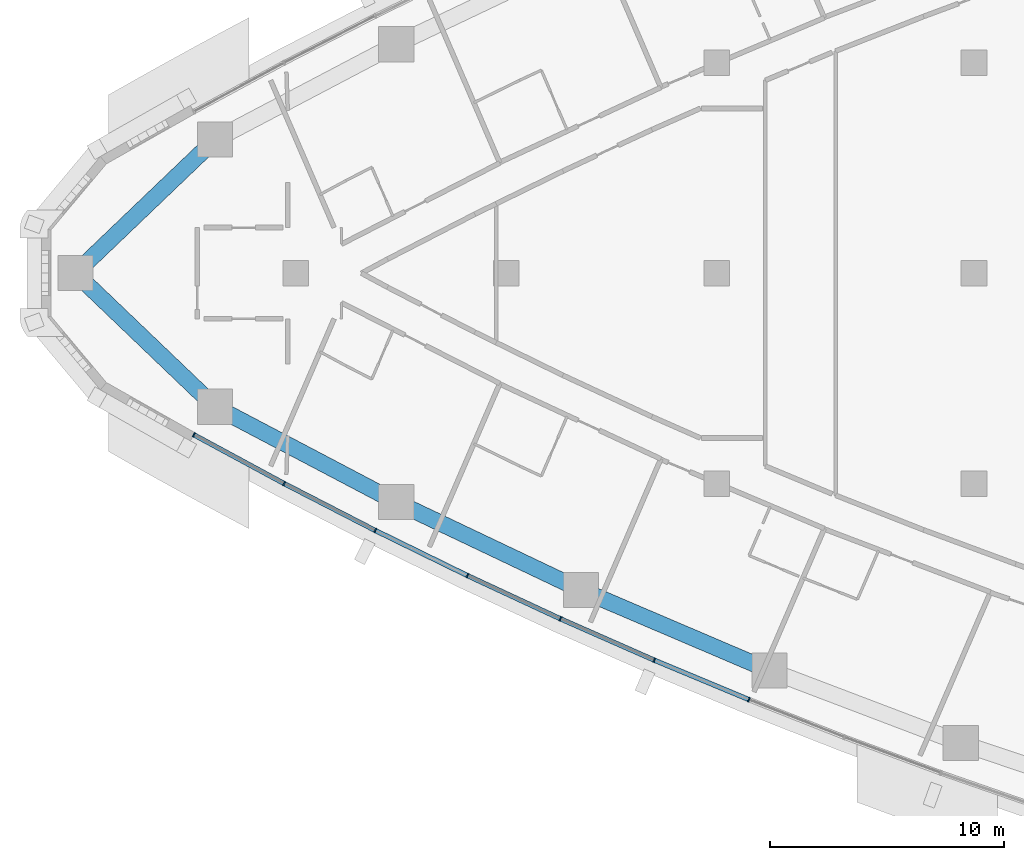
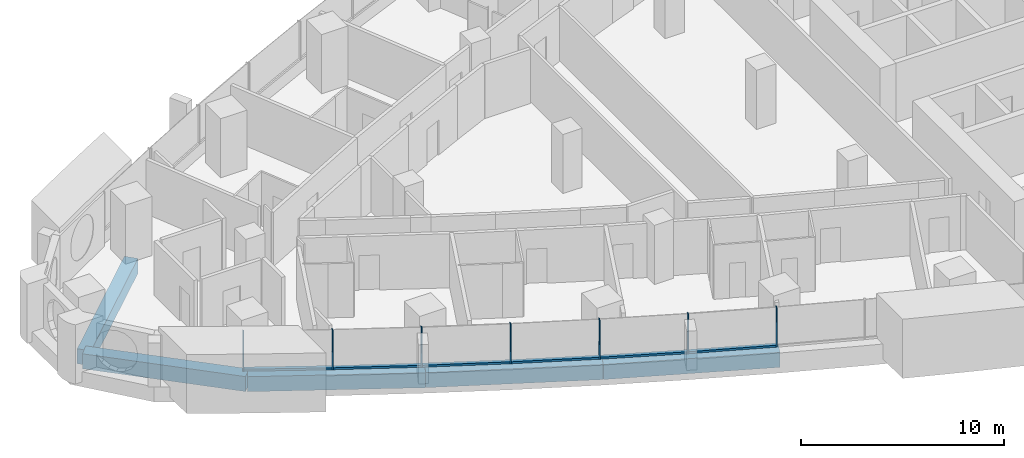
# One storey, part 2 of 17: 13 members, 5 beams, 3 elements without a shape of their own.
"""IFC4 building model written with IfcOpenShell, lengths in metres."""

from ifc_helpers import new_model, si_unit, direction, frame, origin, origin_2d, place, context, subcontext, project, spatial, rectangle, extrude, material, layer, layer_set, material_profile, profile_set, type_object, element, aggregate, save


model = new_model("IFC4")

# Units and contexts
model_context = context("Model", 3, precision=1e-05, world=origin(), true_north=direction((0.0, 1.0)))
body_context = subcontext(model_context, "Body", "Model", "MODEL_VIEW")
ifc_project = project(units=[si_unit("LENGTHUNIT", "METRE"), si_unit("AREAUNIT", "SQUARE_METRE"), si_unit("VOLUMEUNIT", "CUBIC_METRE"), si_unit("PLANEANGLEUNIT", "RADIAN"), si_unit("MASSUNIT", "GRAM", prefix="KILO")], contexts=[model_context])

# Site, building, storey
site_placement = place(None, origin())
site = spatial("IfcSite", under=ifc_project, at=site_placement, CompositionType="ELEMENT")
building_placement = place(site_placement, origin())
building = spatial("IfcBuilding", under=site, at=building_placement, Name="Ostrand Prow Hotel Tower", CompositionType="ELEMENT")
storey_placement = place(building_placement, frame((0.0, 0.0, 158.60009765625)))
storey = spatial("IfcBuildingStorey", under=building, at=storey_placement, Name="L39", CompositionType="ELEMENT", Elevation=158.60009765625)

# Beams
ifc_material_1 = material(Name="Concrete C70/85", Category="concrete")
ifc_material_profile_1 = material_profile(ifc_material_1, rectangle(XDim=0.699951171875, YDim=0.89990234375, at=origin_2d()), Name="RC 700x900")
ifc_profile_set_1 = profile_set([ifc_material_profile_1], Name="Concrete C70/85")
beam_type = type_object("IfcBeamType", Name="Edge beam 700x900 C70/85", PredefinedType="SPANDREL", material=ifc_profile_set_1)
beam_1_placement = place(storey_placement, frame((6.580078125, 0.0, -0.75), z_axis=(0.722689968521, -0.691172344209, 0.0), x_axis=(0.691172344209, 0.722689968521, 0.0)))
element("IfcBeam", 1, at=beam_1_placement, inside=storey, type_object=beam_type, Name="Edge beam P-S1", PredefinedType="SPANDREL", context=body_context, shape_type="SweptSolid", body=[
    extrude(rectangle(XDim=0.699951171875, YDim=0.89990234375, at=origin_2d()), origin(), (0.0, 0.0, 1.0), 8.26513671875),
])
for number, where, z_axis, x_axis, name in (
    (2, (12.55322265625, -5.712646484375, -0.75), (0.885016215308, -0.465560198731, 0.0), (0.465560198731, 0.885016215308, 0.0), "Edge beam S1-S2"),
    (3, (20.300048828125, -9.787841796875, -0.75), (0.903083113352, -0.429465819803, 0.0), (0.429465819803, 0.903083113352, 0.0), "Edge beam S2-S3"),
    (4, (28.205078125, -13.547119140625, -0.75), (0.919700966994, -0.392619575811, 0.0), (0.392619575811, 0.919700966994, 0.0), "Edge beam S3-S4"),
):
    element("IfcBeam", number, at=place(storey_placement, frame(where, z_axis=z_axis, x_axis=x_axis)), inside=storey, type_object=beam_type, Name=name, PredefinedType="SPANDREL", context=body_context, shape_type="SweptSolid", body=[
        extrude(rectangle(XDim=0.699951171875, YDim=0.89990234375, at=origin_2d()), origin(), (0.0, 0.0, 1.0), 8.75341796875),
    ])
beam_2_placement = place(storey_placement, frame((12.55322265625, 5.712646484375, -0.75), z_axis=(-0.722689968521, -0.691172344209, 0.0), x_axis=(0.691172344209, -0.722689968521, 0.0)))
element("IfcBeam", 5, at=beam_2_placement, inside=storey, type_object=beam_type, Name="Edge beam N6-P", PredefinedType="SPANDREL", context=body_context, shape_type="SweptSolid", body=[
    extrude(rectangle(XDim=0.699951171875, YDim=0.89990234375, at=origin_2d()), origin(), (0.0, 0.0, 1.0), 8.26513671875),
])

# Curtain wall, members
ifc_material_2 = material(Name="Insulated glass in bronze anodised frame", Category="glass")
ifc_layer = layer(ifc_material_2, 0.199951171875)
ifc_layer_set = layer_set([ifc_layer], Name="Insulated glass in bronze anodised frame")
curtain_wall_type = type_object("IfcCurtainWallType", Name="Strip curtain wall, fritted glass over bronze spandrel", PredefinedType="NOTDEFINED", material=ifc_layer_set)
curtain_wall_1_placement = place(storey_placement, origin())
curtain_wall_1 = element("IfcCurtainWall", 6, at=curtain_wall_1_placement, inside=storey, type_object=curtain_wall_type, Name="CW1 run CWS1", PredefinedType="NOTDEFINED")
ifc_material_3 = material(Name="Bronze anodised aluminium", Category="aluminium")
ifc_material_profile_2 = material_profile(ifc_material_3, rectangle(XDim=0.199951171875, YDim=0.06005859375, at=origin_2d()), Name="Mullion 60x200 bronze anodised aluminium")
ifc_profile_set_2 = profile_set([ifc_material_profile_2], Name="Bronze anodised aluminium")
member_type_1 = type_object("IfcMemberType", Name="Mullion 60x200 bronze anodised aluminium", PredefinedType="MULLION", material=ifc_profile_set_2)
member_1_placement = place(storey_placement, frame((11.64306640625, -6.909423828125, 0.89990234375), z_axis=(0.0, 0.0, 1.0), x_axis=(0.475393901316, 0.879773060847, 0.0)))
member_1 = element("IfcMember", 7, at=member_1_placement, type_object=member_type_1, Name="CW1 mullion 1", PredefinedType="MULLION", context=body_context, shape_type="SweptSolid", body=[
    extrude(rectangle(XDim=0.199951171875, YDim=0.06005859375, at=origin_2d()), origin(), (0.0, 0.0, 1.0), 2.35009765625),
])
member_2_placement = place(storey_placement, frame((15.501708984375, -8.99462890625, 0.89990234375), z_axis=(0.0, 0.0, 1.0), x_axis=(0.457619429434, 0.889148164146, 0.0)))
member_2 = element("IfcMember", 8, at=member_2_placement, type_object=member_type_1, Name="CW1 mullion 2", PredefinedType="MULLION", context=body_context, shape_type="SweptSolid", body=[
    extrude(rectangle(XDim=0.199951171875, YDim=0.06005859375, at=origin_2d()), origin(), (0.0, 0.0, 1.0), 2.35009765625),
])
member_3_placement = place(storey_placement, frame((19.401611328125, -11.001708984375, 0.89990234375), z_axis=(0.0, 0.0, 1.0), x_axis=(0.457619429434, 0.889148164146, 0.0)))
member_3 = element("IfcMember", 9, at=member_3_placement, type_object=member_type_1, Name="CW1 mullion 3", PredefinedType="MULLION", context=body_context, shape_type="SweptSolid", body=[
    extrude(rectangle(XDim=0.199951171875, YDim=0.06005859375, at=origin_2d()), origin(), (0.0, 0.0, 1.0), 2.35009765625),
])

curtain_wall_2_placement = place(storey_placement, origin())
curtain_wall_2 = element("IfcCurtainWall", 10, at=curtain_wall_2_placement, inside=storey, type_object=curtain_wall_type, Name="CW1 run CWS2", PredefinedType="NOTDEFINED")
member_4_placement = place(storey_placement, frame((23.341064453125, -12.93017578125, 0.89990234375), z_axis=(0.0, 0.0, 1.0), x_axis=(0.421521761673, 0.906818286337, 0.0)))
member_4 = element("IfcMember", 11, at=member_4_placement, type_object=member_type_1, Name="CW1 mullion 2", PredefinedType="MULLION", context=body_context, shape_type="SweptSolid", body=[
    extrude(rectangle(XDim=0.199951171875, YDim=0.06005859375, at=origin_2d()), origin(), (0.0, 0.0, 1.0), 2.35009765625),
])
member_5_placement = place(storey_placement, frame((27.318359375, -14.77880859375, 0.89990234375), z_axis=(0.0, 0.0, 1.0), x_axis=(0.421521761673, 0.906818286337, 0.0)))
member_5 = element("IfcMember", 12, at=member_5_placement, type_object=member_type_1, Name="CW1 mullion 3", PredefinedType="MULLION", context=body_context, shape_type="SweptSolid", body=[
    extrude(rectangle(XDim=0.199951171875, YDim=0.06005859375, at=origin_2d()), origin(), (0.0, 0.0, 1.0), 2.35009765625),
])

curtain_wall_3_placement = place(storey_placement, origin())
curtain_wall_3 = element("IfcCurtainWall", 13, at=curtain_wall_3_placement, inside=storey, type_object=curtain_wall_type, Name="CW1 run CWS3", PredefinedType="NOTDEFINED")
member_6_placement = place(storey_placement, frame((31.332275390625, -16.54736328125, 0.89990234375), z_axis=(0.0, 0.0, 1.0), x_axis=(0.384743220418, 0.92302364777, 0.0)))
member_6 = element("IfcMember", 14, at=member_6_placement, type_object=member_type_1, Name="CW1 mullion 2", PredefinedType="MULLION", context=body_context, shape_type="SweptSolid", body=[
    extrude(rectangle(XDim=0.199951171875, YDim=0.06005859375, at=origin_2d()), origin(), (0.0, 0.0, 1.0), 2.35009765625),
])
member_7_placement = place(storey_placement, frame((35.380615234375, -18.235107421875, 0.89990234375), z_axis=(0.0, 0.0, 1.0), x_axis=(0.384743220418, 0.92302364777, 0.0)))
member_7 = element("IfcMember", 15, at=member_7_placement, type_object=member_type_1, Name="CW1 mullion 3", PredefinedType="MULLION", context=body_context, shape_type="SweptSolid", body=[
    extrude(rectangle(XDim=0.199951171875, YDim=0.06005859375, at=origin_2d()), origin(), (0.0, 0.0, 1.0), 2.35009765625),
])

# Member
ifc_material_4 = material(Name="Bronze anodised aluminium", Category="aluminium")
ifc_material_profile_3 = material_profile(ifc_material_4, rectangle(XDim=0.199951171875, YDim=0.1201171875, at=origin_2d()), Name="Transom 120x200 bronze anodised aluminium")
ifc_profile_set_3 = profile_set([ifc_material_profile_3], Name="Bronze anodised aluminium")
member_type_2 = type_object("IfcMemberType", Name="Transom 120x200 bronze anodised aluminium", PredefinedType="USERDEFINED", material=ifc_profile_set_3)
member_8_placement = place(storey_placement, frame((11.66943359375, -6.923583984375, 0.9599609375), z_axis=(0.879765206929, -0.475408435639, 0.0), x_axis=(0.475408435639, 0.879765206929, 0.0)))
member_8 = element("IfcMember", 16, at=member_8_placement, type_object=member_type_2, Name="CW1 transom 1.1", ObjectType="TRANSOM", PredefinedType="USERDEFINED", context=body_context, shape_type="SweptSolid", body=[
    extrude(rectangle(XDim=0.199951171875, YDim=0.1201171875, at=origin_2d()), origin(), (0.0, 0.0, 1.0), 4.326171875),
])

member_9_placement = place(storey_placement, frame((15.528564453125, -9.00830078125, 0.9599609375), z_axis=(0.88914020052, -0.457634902318, 0.0), x_axis=(0.457634902318, 0.88914020052, 0.0)))
member_9 = element("IfcMember", 17, at=member_9_placement, type_object=member_type_2, Name="CW1 transom 2.1", ObjectType="TRANSOM", PredefinedType="USERDEFINED", context=body_context, shape_type="SweptSolid", body=[
    extrude(rectangle(XDim=0.199951171875, YDim=0.1201171875, at=origin_2d()), origin(), (0.0, 0.0, 1.0), 4.325927734375),
])

aggregate(curtain_wall_1, [member_1, member_2, member_3, member_8, member_9])

member_10_placement = place(storey_placement, frame((19.4287109375, -11.014892578125, 0.9599609375), z_axis=(0.89815413626, -0.439680733623, 0.0), x_axis=(0.439680733623, 0.89815413626, 0.0)))
member_10 = element("IfcMember", 18, at=member_10_placement, type_object=member_type_2, Name="CW1 transom 1.1", ObjectType="TRANSOM", PredefinedType="USERDEFINED", context=body_context, shape_type="SweptSolid", body=[
    extrude(rectangle(XDim=0.199951171875, YDim=0.1201171875, at=origin_2d()), origin(), (0.0, 0.0, 1.0), 4.326171875),
])

member_11_placement = place(storey_placement, frame((23.368408203125, -12.942626953125, 0.9599609375), z_axis=(0.906796377468, -0.421568890944, 0.0), x_axis=(0.421568890944, 0.906796377468, 0.0)))
member_11 = element("IfcMember", 19, at=member_11_placement, type_object=member_type_2, Name="CW1 transom 2.1", ObjectType="TRANSOM", PredefinedType="USERDEFINED", context=body_context, shape_type="SweptSolid", body=[
    extrude(rectangle(XDim=0.199951171875, YDim=0.1201171875, at=origin_2d()), origin(), (0.0, 0.0, 1.0), 4.326171875),
])

aggregate(curtain_wall_2, [member_4, member_5, member_10, member_11])

member_12_placement = place(storey_placement, frame((27.345947265625, -14.791015625, 0.9599609375), z_axis=(0.91509853977, -0.403230284715, 0.0), x_axis=(0.403230284715, 0.91509853977, 0.0)))
member_12 = element("IfcMember", 20, at=member_12_placement, type_object=member_type_2, Name="CW1 transom 1.1", ObjectType="TRANSOM", PredefinedType="USERDEFINED", context=body_context, shape_type="SweptSolid", body=[
    extrude(rectangle(XDim=0.199951171875, YDim=0.1201171875, at=origin_2d()), origin(), (0.0, 0.0, 1.0), 4.325927734375),
])

member_13_placement = place(storey_placement, frame((31.35986328125, -16.55908203125, 0.9599609375), z_axis=(0.923028493412, -0.384731595206, 0.0), x_axis=(0.384731595206, 0.923028493412, 0.0)))
member_13 = element("IfcMember", 21, at=member_13_placement, type_object=member_type_2, Name="CW1 transom 2.1", ObjectType="TRANSOM", PredefinedType="USERDEFINED", context=body_context, shape_type="SweptSolid", body=[
    extrude(rectangle(XDim=0.199951171875, YDim=0.1201171875, at=origin_2d()), origin(), (0.0, 0.0, 1.0), 4.325927734375),
])

aggregate(curtain_wall_3, [member_6, member_7, member_12, member_13])

save(model, "model.ifc")
